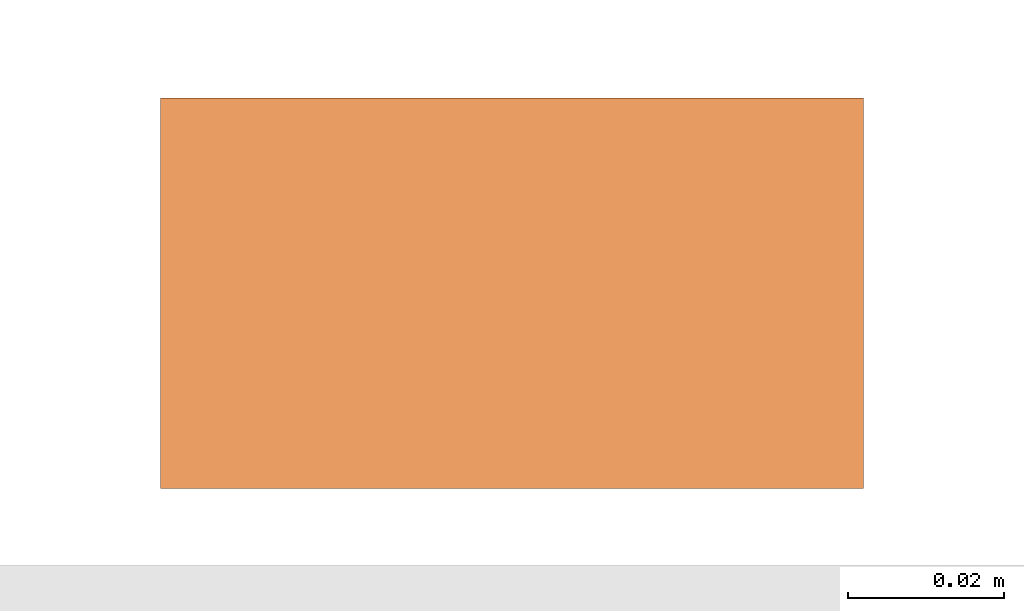
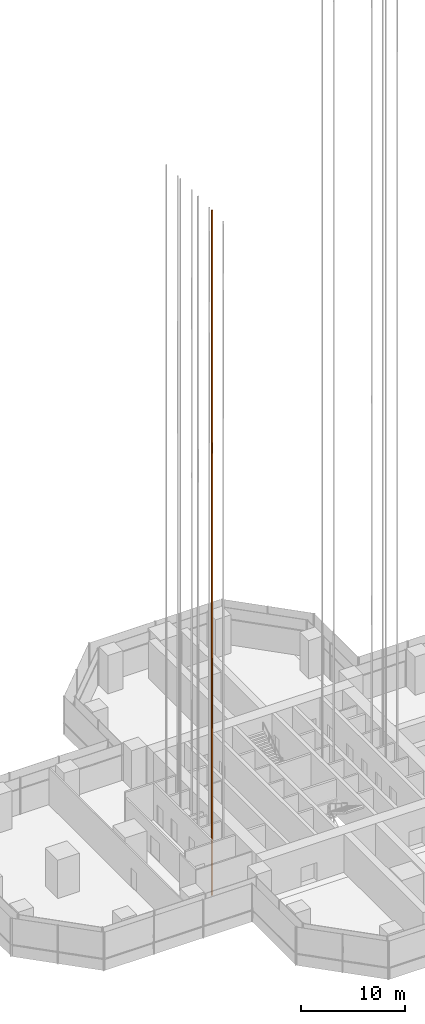
# One storey, part 22 of 34: 1 proxy.
"""IFC4 building model written with IfcOpenShell, lengths in metres."""

import ifcopenshell
import ifcopenshell.guid

model = None  # the IFC model being written
_history = None  # IfcOwnerHistory: only IFC2X3 demands one
_inside = {}  # id of a spatial element -> (the spatial element, [elements in it])
_under = {}  # id of a project, library or spatial element -> (it, [spatial elements below it])
_declared = {}  # id of a project -> (the project, [libraries it declares])
_typed = {}  # id of a type object -> (the type object, [elements of that type])
_made_of = {}  # id of a material, layer set ... -> (it, [elements and type objects made of it])


def new_model(schema):
    """Start an empty IFC model of exactly this schema.

    Asked for "IFC4X3", IfcOpenShell would pick the latest addendum, in which some entities
    have other attributes; the version numbers below select the first issue.
    IFC2X3 requires an IfcOwnerHistory on every rooted entity: one is made here for all.
    """
    global model, _history
    if schema == "IFC4X3":
        model = ifcopenshell.file(schema_version=(4, 3, 0, 0))
    else:
        model = ifcopenshell.file(schema=schema)
    _inside.clear()
    _under.clear()
    _declared.clear()
    _typed.clear()
    _made_of.clear()
    _history = None
    if model.schema == "IFC2X3":
        org = make("IfcOrganization", Name="unknown")
        user = make(
            "IfcPersonAndOrganization",
            ThePerson=make("IfcPerson", FamilyName="unknown"),
            TheOrganization=org,
        )
        app = make(
            "IfcApplication",
            ApplicationDeveloper=org,
            Version="unknown",
            ApplicationFullName="unknown",
            ApplicationIdentifier="unknown",
        )
        _history = make(
            "IfcOwnerHistory",
            OwningUser=user,
            OwningApplication=app,
            ChangeAction="ADDED",
            CreationDate=0,
        )
    return model


def make(cls, **values):
    """One entity of the class cls with the attributes given. An attribute that is None is left unset."""
    return model.create_entity(
        cls, **{name: value for name, value in values.items() if value is not None}
    )


def rooted(cls, **values):
    """An entity with a GlobalId (a new one), such as an element, a storey or a relation."""
    return make(cls, GlobalId=ifcopenshell.guid.new(), OwnerHistory=_history, **values)


def si_unit(unit_type, name, prefix=None):
    """IfcSIUnit, for example si_unit("LENGTHUNIT", "METRE", prefix="MILLI")."""
    return make("IfcSIUnit", UnitType=unit_type, Prefix=prefix, Name=name)


def assignment(units):
    """IfcUnitAssignment: the units of a project."""
    return None if units is None else make("IfcUnitAssignment", Units=units)


def point(xyz):
    """IfcCartesianPoint."""
    return None if xyz is None else make("IfcCartesianPoint", Coordinates=xyz)


def direction(xyz):
    """IfcDirection."""
    return None if xyz is None else make("IfcDirection", DirectionRatios=xyz)


def frame(location, z_axis=None, x_axis=None):
    """IfcAxis2Placement3D, a coordinate frame: its origin and axes. An axis left out is left unset."""
    return make(
        "IfcAxis2Placement3D",
        Location=point(location),
        Axis=direction(z_axis),
        RefDirection=direction(x_axis),
    )


def frame_2d(location, x_axis=None):
    """IfcAxis2Placement2D, a coordinate frame in the plane: its origin and x axis."""
    return make(
        "IfcAxis2Placement2D", Location=point(location), RefDirection=direction(x_axis)
    )


def origin():
    """The frame at (0, 0, 0) with its axes left unset."""
    return frame((0.0, 0.0, 0.0))


def origin_2d():
    """The frame at (0, 0) in the plane with its x axis left unset."""
    return frame_2d((0.0, 0.0))


def place(relative_to, where):
    """IfcLocalPlacement: puts the frame where relative to a parent placement (None: the world)."""
    return make(
        "IfcLocalPlacement", PlacementRelTo=relative_to, RelativePlacement=where
    )


def context(
    kind, dimensions, precision=None, world=None, true_north=None, identifier=None
):
    """IfcGeometricRepresentationContext, for example the 3D "Model" context."""
    return make(
        "IfcGeometricRepresentationContext",
        ContextIdentifier=identifier,
        ContextType=kind,
        CoordinateSpaceDimension=dimensions,
        Precision=precision,
        WorldCoordinateSystem=world,
        TrueNorth=true_north,
    )


def subcontext(parent, identifier, kind, view, scale=None):
    """IfcGeometricRepresentationSubContext, for example "Body" below "Model"."""
    return make(
        "IfcGeometricRepresentationSubContext",
        ContextIdentifier=identifier,
        ContextType=kind,
        ParentContext=parent,
        TargetScale=scale,
        TargetView=view,
    )


def project(units=None, contexts=None):
    """IfcProject with its units and contexts."""
    return rooted(
        "IfcProject",
        Name="project",
        RepresentationContexts=contexts,
        UnitsInContext=assignment(units),
    )


def spatial(cls, under=None, at=None, **own):
    """A site, building, storey or space (cls), placed at a placement, below another one or the project."""
    s = rooted(cls, ObjectPlacement=at, **own)
    if under is not None:
        _under.setdefault(under.id(), (under, []))[1].append(s)
    return s


def profile(cls, at=None, kind="AREA", **sizes):
    """A parametric profile (cls). Its sizes go by their IFC names, for example OverallWidth=200.0."""
    return make(cls, ProfileType=kind, Position=at, **sizes)


def rectangle(**sizes):
    """IfcRectangleProfileDef."""
    return profile("IfcRectangleProfileDef", **sizes)


def extrude(swept, where, along, depth):
    """IfcExtrudedAreaSolid: the profile swept, set in the frame where, extruded along a direction by depth."""
    return make(
        "IfcExtrudedAreaSolid",
        SweptArea=swept,
        Position=where,
        ExtrudedDirection=direction(along),
        Depth=depth,
    )


def shape(context_of_items, identifier, shape_type, items):
    """IfcShapeRepresentation: the items that make up one representation, for example the "Body"."""
    return make(
        "IfcShapeRepresentation",
        ContextOfItems=context_of_items,
        RepresentationIdentifier=identifier,
        RepresentationType=shape_type,
        Items=items,
    )


def material(Name=None, Category=None):
    """IfcMaterial."""
    return make("IfcMaterial", Name=Name, Category=Category)


def made_of(thing, what):
    """Note that an element or type object is made of a material, layer set ...; save() writes the relation."""
    if what is not None:
        _made_of.setdefault(what.id(), (what, []))[1].append(thing)
    return thing


def element(
    cls,
    number,
    at=None,
    inside=None,
    cuts=None,
    type_object=None,
    material=None,
    context=None,
    identifier="Body",
    shape_type=None,
    held_by="IfcProductDefinitionShape",
    body=None,
    shapes=None,
    **own,
):
    """One element of the class cls, such as IfcWall. Its Tag is "e" and its number.

    at: its placement. inside: the storey or other place that contains it. cuts: it is an
    opening in that element (IfcRelVoidsElement). A single representation is given by context,
    identifier, shape_type and body (its items); several are given by shapes. held_by: the class
    of the entity that holds the representations. save() writes the other relations.
    """
    e = rooted(cls, Tag="e%d" % number, ObjectPlacement=at, **own)
    if body is not None:
        shapes = [shape(context, identifier, shape_type, body)]
    if shapes is not None:
        e.Representation = make(held_by, Representations=shapes)
    if inside is not None:
        _inside.setdefault(inside.id(), (inside, []))[1].append(e)
    if cuts is not None:
        rooted(
            "IfcRelVoidsElement", RelatingBuildingElement=cuts, RelatedOpeningElement=e
        )
    if type_object is not None:
        _typed.setdefault(type_object.id(), (type_object, []))[1].append(e)
    return made_of(e, material)


def aggregate(whole, parts):
    """IfcRelAggregates: a whole, such as a stair, and the parts it consists of."""
    return rooted("IfcRelAggregates", RelatingObject=whole, RelatedObjects=parts)


def save(model, path):
    """Write the relations noted so far, then the file.

    IfcRelAggregates (storeys below a building ...), IfcRelContainedInSpatialStructure (elements
    in a storey), IfcRelDefinesByType, IfcRelAssociatesMaterial and IfcRelDeclares: one each for
    every whole, place, type object, material and project.
    """
    for whole, parts in _under.values():
        aggregate(whole, parts)
    for where, things in _inside.values():
        rooted(
            "IfcRelContainedInSpatialStructure",
            RelatedElements=things,
            RelatingStructure=where,
        )
    for kind, things in _typed.values():
        rooted("IfcRelDefinesByType", RelatedObjects=things, RelatingType=kind)
    for what, things in _made_of.values():
        rooted("IfcRelAssociatesMaterial", RelatedObjects=things, RelatingMaterial=what)
    for by, libraries in _declared.values():
        rooted("IfcRelDeclares", RelatingContext=by, RelatedDefinitions=libraries)
    model.write(path)


model = new_model("IFC4")

# Units and contexts
model_context = context("Model", 3, precision=1e-05, world=origin(), true_north=direction((0.0, 1.0)))
body_context = subcontext(model_context, "Body", "Model", "MODEL_VIEW")
ifc_project = project(units=[si_unit("LENGTHUNIT", "METRE"), si_unit("AREAUNIT", "SQUARE_METRE"), si_unit("VOLUMEUNIT", "CUBIC_METRE"), si_unit("PLANEANGLEUNIT", "RADIAN"), si_unit("MASSUNIT", "GRAM", prefix="KILO")], contexts=[model_context])

# Site, building, storey
site_placement = place(None, origin())
site = spatial("IfcSite", under=ifc_project, at=site_placement, CompositionType="ELEMENT")
building_placement = place(site_placement, origin())
building = spatial("IfcBuilding", under=site, at=building_placement, Name="Mizan Broadcast Tower", CompositionType="ELEMENT")
storey_placement = place(building_placement, frame((0.0, 0.0, 194.39990234375)))
storey = spatial("IfcBuildingStorey", under=building, at=storey_placement, Name="L45", CompositionType="ELEMENT", Elevation=194.39990234375)

# Proxy
ifc_material = material(Name="Steel guide rail", Category="steel")
proxy_placement = place(storey_placement, frame((-12.27490234375, -3.31494140625, -3.89990234375), z_axis=(0.0, 0.0, 1.0), x_axis=(1.0, 0.0, 0.0)))
element("IfcBuildingElementProxy", 1, at=proxy_placement, inside=storey, material=ifc_material, Name="Guide rail LC4-2", PredefinedType="NOTDEFINED", context=body_context, shape_type="SweptSolid", body=[
    extrude(rectangle(XDim=0.090087890625, YDim=0.050048828125, at=origin_2d()), origin(), (0.0, 0.0, 1.0), 80.52001953125),
])

save(model, "model.ifc")
